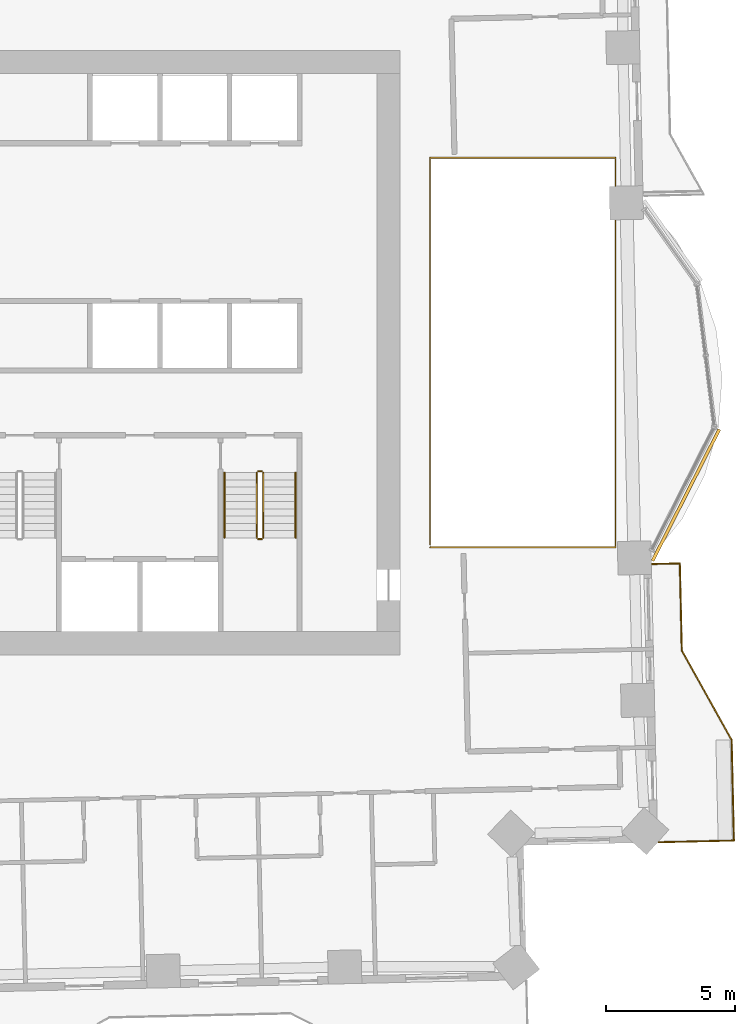
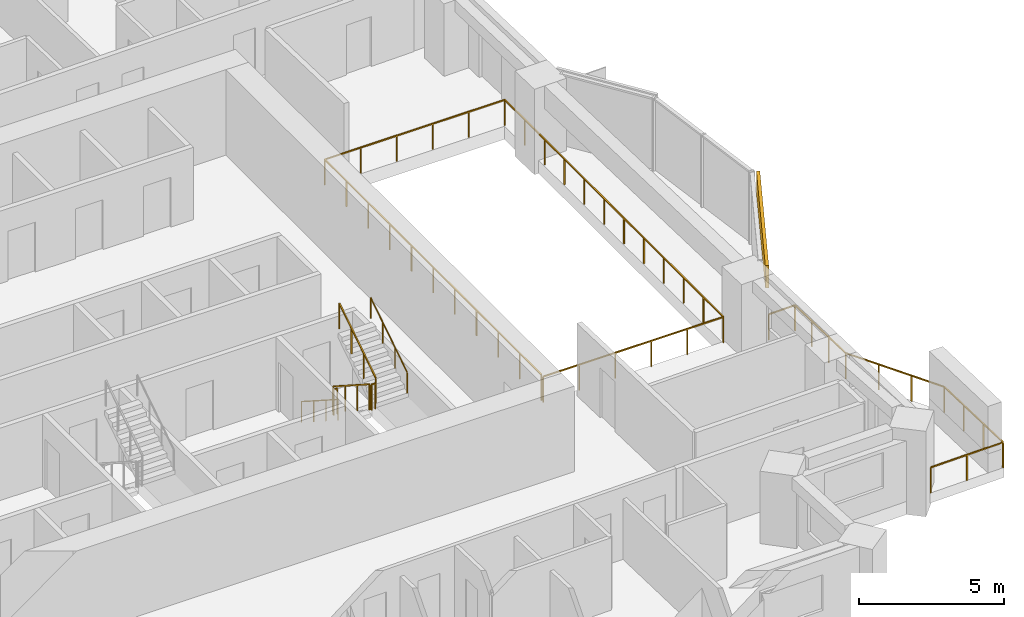
# One storey, part 15 of 16: 8 railings, 1 covering.
"""IFC4 building model written with IfcOpenShell, lengths in metres."""

import ifcopenshell
import ifcopenshell.guid

model = None  # the IFC model being written
_history = None  # IfcOwnerHistory: only IFC2X3 demands one
_inside = {}  # id of a spatial element -> (the spatial element, [elements in it])
_under = {}  # id of a project, library or spatial element -> (it, [spatial elements below it])
_declared = {}  # id of a project -> (the project, [libraries it declares])
_typed = {}  # id of a type object -> (the type object, [elements of that type])
_made_of = {}  # id of a material, layer set ... -> (it, [elements and type objects made of it])


def new_model(schema):
    """Start an empty IFC model of exactly this schema.

    Asked for "IFC4X3", IfcOpenShell would pick the latest addendum, in which some entities
    have other attributes; the version numbers below select the first issue.
    IFC2X3 requires an IfcOwnerHistory on every rooted entity: one is made here for all.
    """
    global model, _history
    if schema == "IFC4X3":
        model = ifcopenshell.file(schema_version=(4, 3, 0, 0))
    else:
        model = ifcopenshell.file(schema=schema)
    _inside.clear()
    _under.clear()
    _declared.clear()
    _typed.clear()
    _made_of.clear()
    _history = None
    if model.schema == "IFC2X3":
        org = make("IfcOrganization", Name="unknown")
        user = make(
            "IfcPersonAndOrganization",
            ThePerson=make("IfcPerson", FamilyName="unknown"),
            TheOrganization=org,
        )
        app = make(
            "IfcApplication",
            ApplicationDeveloper=org,
            Version="unknown",
            ApplicationFullName="unknown",
            ApplicationIdentifier="unknown",
        )
        _history = make(
            "IfcOwnerHistory",
            OwningUser=user,
            OwningApplication=app,
            ChangeAction="ADDED",
            CreationDate=0,
        )
    return model


def make(cls, **values):
    """One entity of the class cls with the attributes given. An attribute that is None is left unset."""
    return model.create_entity(
        cls, **{name: value for name, value in values.items() if value is not None}
    )


def rooted(cls, **values):
    """An entity with a GlobalId (a new one), such as an element, a storey or a relation."""
    return make(cls, GlobalId=ifcopenshell.guid.new(), OwnerHistory=_history, **values)


def si_unit(unit_type, name, prefix=None):
    """IfcSIUnit, for example si_unit("LENGTHUNIT", "METRE", prefix="MILLI")."""
    return make("IfcSIUnit", UnitType=unit_type, Prefix=prefix, Name=name)


def assignment(units):
    """IfcUnitAssignment: the units of a project."""
    return None if units is None else make("IfcUnitAssignment", Units=units)


def point(xyz):
    """IfcCartesianPoint."""
    return None if xyz is None else make("IfcCartesianPoint", Coordinates=xyz)


def direction(xyz):
    """IfcDirection."""
    return None if xyz is None else make("IfcDirection", DirectionRatios=xyz)


def frame(location, z_axis=None, x_axis=None):
    """IfcAxis2Placement3D, a coordinate frame: its origin and axes. An axis left out is left unset."""
    return make(
        "IfcAxis2Placement3D",
        Location=point(location),
        Axis=direction(z_axis),
        RefDirection=direction(x_axis),
    )


def frame_2d(location, x_axis=None):
    """IfcAxis2Placement2D, a coordinate frame in the plane: its origin and x axis."""
    return make(
        "IfcAxis2Placement2D", Location=point(location), RefDirection=direction(x_axis)
    )


def origin():
    """The frame at (0, 0, 0) with its axes left unset."""
    return frame((0.0, 0.0, 0.0))


def origin_2d():
    """The frame at (0, 0) in the plane with its x axis left unset."""
    return frame_2d((0.0, 0.0))


def place(relative_to, where):
    """IfcLocalPlacement: puts the frame where relative to a parent placement (None: the world)."""
    return make(
        "IfcLocalPlacement", PlacementRelTo=relative_to, RelativePlacement=where
    )


def context(
    kind, dimensions, precision=None, world=None, true_north=None, identifier=None
):
    """IfcGeometricRepresentationContext, for example the 3D "Model" context."""
    return make(
        "IfcGeometricRepresentationContext",
        ContextIdentifier=identifier,
        ContextType=kind,
        CoordinateSpaceDimension=dimensions,
        Precision=precision,
        WorldCoordinateSystem=world,
        TrueNorth=true_north,
    )


def subcontext(parent, identifier, kind, view, scale=None):
    """IfcGeometricRepresentationSubContext, for example "Body" below "Model"."""
    return make(
        "IfcGeometricRepresentationSubContext",
        ContextIdentifier=identifier,
        ContextType=kind,
        ParentContext=parent,
        TargetScale=scale,
        TargetView=view,
    )


def project(units=None, contexts=None):
    """IfcProject with its units and contexts."""
    return rooted(
        "IfcProject",
        Name="project",
        RepresentationContexts=contexts,
        UnitsInContext=assignment(units),
    )


def spatial(cls, under=None, at=None, **own):
    """A site, building, storey or space (cls), placed at a placement, below another one or the project."""
    s = rooted(cls, ObjectPlacement=at, **own)
    if under is not None:
        _under.setdefault(under.id(), (under, []))[1].append(s)
    return s


def profile(cls, at=None, kind="AREA", **sizes):
    """A parametric profile (cls). Its sizes go by their IFC names, for example OverallWidth=200.0."""
    return make(cls, ProfileType=kind, Position=at, **sizes)


def rectangle(**sizes):
    """IfcRectangleProfileDef."""
    return profile("IfcRectangleProfileDef", **sizes)


def circle(**sizes):
    """IfcCircleProfileDef."""
    return profile("IfcCircleProfileDef", **sizes)


def extrude(swept, where, along, depth):
    """IfcExtrudedAreaSolid: the profile swept, set in the frame where, extruded along a direction by depth."""
    return make(
        "IfcExtrudedAreaSolid",
        SweptArea=swept,
        Position=where,
        ExtrudedDirection=direction(along),
        Depth=depth,
    )


def shape(context_of_items, identifier, shape_type, items):
    """IfcShapeRepresentation: the items that make up one representation, for example the "Body"."""
    return make(
        "IfcShapeRepresentation",
        ContextOfItems=context_of_items,
        RepresentationIdentifier=identifier,
        RepresentationType=shape_type,
        Items=items,
    )


def material(Name=None, Category=None):
    """IfcMaterial."""
    return make("IfcMaterial", Name=Name, Category=Category)


def layer(
    of_material, thickness, ventilated=None, Name=None, Category=None, Priority=None
):
    """IfcMaterialLayer: one layer of a wall or slab, of a material (None: an air gap)."""
    return make(
        "IfcMaterialLayer",
        Material=of_material,
        LayerThickness=thickness,
        IsVentilated=ventilated,
        Name=Name,
        Category=Category,
        Priority=Priority,
    )


def layer_set(layers, Name=None):
    """IfcMaterialLayerSet."""
    return make("IfcMaterialLayerSet", MaterialLayers=layers, LayerSetName=Name)


def made_of(thing, what):
    """Note that an element or type object is made of a material, layer set ...; save() writes the relation."""
    if what is not None:
        _made_of.setdefault(what.id(), (what, []))[1].append(thing)
    return thing


def type_object(cls, material=None, **own):
    """A type object (cls), such as IfcWallType, which elements share."""
    return made_of(rooted(cls, **own), material)


def element(
    cls,
    number,
    at=None,
    inside=None,
    cuts=None,
    type_object=None,
    material=None,
    context=None,
    identifier="Body",
    shape_type=None,
    held_by="IfcProductDefinitionShape",
    body=None,
    shapes=None,
    **own,
):
    """One element of the class cls, such as IfcWall. Its Tag is "e" and its number.

    at: its placement. inside: the storey or other place that contains it. cuts: it is an
    opening in that element (IfcRelVoidsElement). A single representation is given by context,
    identifier, shape_type and body (its items); several are given by shapes. held_by: the class
    of the entity that holds the representations. save() writes the other relations.
    """
    e = rooted(cls, Tag="e%d" % number, ObjectPlacement=at, **own)
    if body is not None:
        shapes = [shape(context, identifier, shape_type, body)]
    if shapes is not None:
        e.Representation = make(held_by, Representations=shapes)
    if inside is not None:
        _inside.setdefault(inside.id(), (inside, []))[1].append(e)
    if cuts is not None:
        rooted(
            "IfcRelVoidsElement", RelatingBuildingElement=cuts, RelatedOpeningElement=e
        )
    if type_object is not None:
        _typed.setdefault(type_object.id(), (type_object, []))[1].append(e)
    return made_of(e, material)


def aggregate(whole, parts):
    """IfcRelAggregates: a whole, such as a stair, and the parts it consists of."""
    return rooted("IfcRelAggregates", RelatingObject=whole, RelatedObjects=parts)


def save(model, path):
    """Write the relations noted so far, then the file.

    IfcRelAggregates (storeys below a building ...), IfcRelContainedInSpatialStructure (elements
    in a storey), IfcRelDefinesByType, IfcRelAssociatesMaterial and IfcRelDeclares: one each for
    every whole, place, type object, material and project.
    """
    for whole, parts in _under.values():
        aggregate(whole, parts)
    for where, things in _inside.values():
        rooted(
            "IfcRelContainedInSpatialStructure",
            RelatedElements=things,
            RelatingStructure=where,
        )
    for kind, things in _typed.values():
        rooted("IfcRelDefinesByType", RelatedObjects=things, RelatingType=kind)
    for what, things in _made_of.values():
        rooted("IfcRelAssociatesMaterial", RelatedObjects=things, RelatingMaterial=what)
    for by, libraries in _declared.values():
        rooted("IfcRelDeclares", RelatingContext=by, RelatedDefinitions=libraries)
    model.write(path)


model = new_model("IFC4")

# Units and contexts
model_context = context("Model", 3, precision=1e-05, world=origin(), true_north=direction((0.0, 1.0)))
body_context = subcontext(model_context, "Body", "Model", "MODEL_VIEW")
ifc_project = project(units=[si_unit("LENGTHUNIT", "METRE"), si_unit("AREAUNIT", "SQUARE_METRE"), si_unit("VOLUMEUNIT", "CUBIC_METRE"), si_unit("PLANEANGLEUNIT", "RADIAN"), si_unit("MASSUNIT", "GRAM", prefix="KILO")], contexts=[model_context])

# Site, building, storey
site_placement = place(None, origin())
site = spatial("IfcSite", under=ifc_project, at=site_placement, CompositionType="ELEMENT")
building_placement = place(site_placement, origin())
building = spatial("IfcBuilding", under=site, at=building_placement, Name="Mangrove Gate Tower", CompositionType="ELEMENT")
storey_placement = place(building_placement, frame((0.0, 0.0, 140.89990234375)))
storey = spatial("IfcBuildingStorey", under=building, at=storey_placement, Name="L35", CompositionType="ELEMENT", Elevation=140.89990234375)

# Railings
ifc_material_1 = material(Name="Stainless steel grade 316 with laminated glass infill", Category="steel")
railing_type_1 = type_object("IfcRailingType", Name="Balcony guard 1100", PredefinedType="GUARDRAIL", material=ifc_material_1)
railing_1_placement = place(storey_placement, frame((24.7109375, -18.95703125, 0.0)))
element("IfcRailing", 1, at=railing_1_placement, inside=storey, type_object=railing_type_1, Name="GUARD L35 E1", PredefinedType="GUARDRAIL", context=body_context, shape_type="SweptSolid", body=[
    extrude(rectangle(XDim=0.048095703125, YDim=0.048095703125, at=origin_2d()), frame((0.0, 0.0, 1.076171875), z_axis=(0.999751103608, 0.02230988201, 0.0), x_axis=(-0.02230988201, 0.999751103608, 0.0)), (0.0, 0.0, 1.0), 2.910888671875),
    extrude(rectangle(XDim=0.048095703125, YDim=0.048095703125, at=origin_2d()), frame((2.91015625, 0.06494140625, 1.076171875), z_axis=(-0.02284795675, 0.999738951363, 0.0), x_axis=(-0.999738951363, -0.02284795675, 0.0)), (0.0, 0.0, 1.0), 3.900146484375),
    extrude(rectangle(XDim=0.048095703125, YDim=0.048095703125, at=origin_2d()), frame((2.821044921875, 3.964111328125, 1.076171875), z_axis=(-0.487155136876, 0.873315448515, 0.0), x_axis=(-0.873315448515, -0.487155136876, 0.0)), (0.0, 0.0, 1.0), 3.959716796875),
    extrude(rectangle(XDim=0.048095703125, YDim=0.048095703125, at=origin_2d()), frame((0.89208984375, 7.422119140625, 1.076171875), z_axis=(-0.022506060495, 0.999746706542, 0.0), x_axis=(-0.999746706542, -0.022506060495, 0.0)), (0.0, 0.0, 1.0), 3.373779296875),
    extrude(rectangle(XDim=0.048095703125, YDim=0.048095703125, at=origin_2d()), frame((0.816162109375, 10.794921875, 1.076171875), z_axis=(-0.999745389313, -0.022564497502, 0.0), x_axis=(0.022564497502, -0.999745389313, 0.0)), (0.0, 0.0, 1.0), 1.060302734375),
    extrude(rectangle(XDim=0.0419921875, YDim=0.0419921875, at=origin_2d()), origin(), (0.0, 0.0, 1.0), 1.052001953125),
    extrude(rectangle(XDim=0.0419921875, YDim=0.0419921875, at=origin_2d()), frame((1.455078125, 0.032470703125, 0.0)), (0.0, 0.0, 1.0), 1.052001953125),
    extrude(rectangle(XDim=0.0419921875, YDim=0.0419921875, at=origin_2d()), frame((2.91015625, 0.06494140625, 0.0)), (0.0, 0.0, 1.0), 1.052001953125),
    extrude(rectangle(XDim=0.0419921875, YDim=0.0419921875, at=origin_2d()), frame((2.88037109375, 1.36474609375, 0.0)), (0.0, 0.0, 1.0), 1.052001953125),
    extrude(rectangle(XDim=0.0419921875, YDim=0.0419921875, at=origin_2d()), frame((2.850830078125, 2.664306640625, 0.0)), (0.0, 0.0, 1.0), 1.052001953125),
    extrude(rectangle(XDim=0.0419921875, YDim=0.0419921875, at=origin_2d()), frame((2.821044921875, 3.964111328125, 0.0)), (0.0, 0.0, 1.0), 1.052001953125),
    extrude(rectangle(XDim=0.0419921875, YDim=0.0419921875, at=origin_2d()), frame((2.177978515625, 5.11669921875, 0.0)), (0.0, 0.0, 1.0), 1.052001953125),
    extrude(rectangle(XDim=0.0419921875, YDim=0.0419921875, at=origin_2d()), frame((1.53515625, 6.26953125, 0.0)), (0.0, 0.0, 1.0), 1.052001953125),
    extrude(rectangle(XDim=0.0419921875, YDim=0.0419921875, at=origin_2d()), frame((0.89208984375, 7.422119140625, 0.0)), (0.0, 0.0, 1.0), 1.052001953125),
    extrude(rectangle(XDim=0.0419921875, YDim=0.0419921875, at=origin_2d()), frame((0.86669921875, 8.54638671875, 0.0)), (0.0, 0.0, 1.0), 1.052001953125),
    extrude(rectangle(XDim=0.0419921875, YDim=0.0419921875, at=origin_2d()), frame((0.841552734375, 9.670654296875, 0.0)), (0.0, 0.0, 1.0), 1.052001953125),
    extrude(rectangle(XDim=0.0419921875, YDim=0.0419921875, at=origin_2d()), frame((0.816162109375, 10.794921875, 0.0)), (0.0, 0.0, 1.0), 1.052001953125),
    extrude(rectangle(XDim=0.0419921875, YDim=0.0419921875, at=origin_2d()), frame((-0.243896484375, 10.77099609375, 0.0)), (0.0, 0.0, 1.0), 1.052001953125),
])
railing_2_placement = place(storey_placement, frame((15.860107421875, -7.5400390625, 0.0)))
element("IfcRailing", 2, at=railing_2_placement, inside=storey, type_object=railing_type_1, Name="GUARD L35 atrium", PredefinedType="GUARDRAIL", context=body_context, shape_type="SweptSolid", body=[
    extrude(rectangle(XDim=0.048095703125, YDim=0.048095703125, at=origin_2d()), frame((0.0, 0.0, 1.076171875), z_axis=(1.0, 0.0, 0.0), x_axis=(0.0, 1.0, 0.0)), (0.0, 0.0, 1.0), 7.1748046875),
    extrude(rectangle(XDim=0.048095703125, YDim=0.048095703125, at=origin_2d()), frame((7.1748046875, 0.0, 1.076171875), z_axis=(0.0, 1.0, 0.0), x_axis=(-1.0, 0.0, 0.0)), (0.0, 0.0, 1.0), 15.080078125),
    extrude(rectangle(XDim=0.048095703125, YDim=0.048095703125, at=origin_2d()), frame((7.1748046875, 15.080078125, 1.076171875), z_axis=(-1.0, 0.0, 0.0), x_axis=(0.0, -1.0, 0.0)), (0.0, 0.0, 1.0), 7.1748046875),
    extrude(rectangle(XDim=0.048095703125, YDim=0.048095703125, at=origin_2d()), frame((0.0, 15.080078125, 1.076171875), z_axis=(0.0, -1.0, 0.0), x_axis=(1.0, 0.0, 0.0)), (0.0, 0.0, 1.0), 14.9599609375),
    extrude(rectangle(XDim=0.0419921875, YDim=0.0419921875, at=origin_2d()), origin(), (0.0, 0.0, 1.0), 1.052001953125),
    extrude(rectangle(XDim=0.0419921875, YDim=0.0419921875, at=origin_2d()), frame((1.43505859375, 0.0, 0.0)), (0.0, 0.0, 1.0), 1.052001953125),
    extrude(rectangle(XDim=0.0419921875, YDim=0.0419921875, at=origin_2d()), frame((2.869873046875, 0.0, 0.0)), (0.0, 0.0, 1.0), 1.052001953125),
    extrude(rectangle(XDim=0.0419921875, YDim=0.0419921875, at=origin_2d()), frame((4.304931640625, 0.0, 0.0)), (0.0, 0.0, 1.0), 1.052001953125),
    extrude(rectangle(XDim=0.0419921875, YDim=0.0419921875, at=origin_2d()), frame((5.73974609375, 0.0, 0.0)), (0.0, 0.0, 1.0), 1.052001953125),
    extrude(rectangle(XDim=0.0419921875, YDim=0.0419921875, at=origin_2d()), frame((7.1748046875, 0.0, 0.0)), (0.0, 0.0, 1.0), 1.052001953125),
    extrude(rectangle(XDim=0.0419921875, YDim=0.0419921875, at=origin_2d()), frame((7.1748046875, 1.370849609375, 0.0)), (0.0, 0.0, 1.0), 1.052001953125),
    extrude(rectangle(XDim=0.0419921875, YDim=0.0419921875, at=origin_2d()), frame((7.1748046875, 2.741943359375, 0.0)), (0.0, 0.0, 1.0), 1.052001953125),
    extrude(rectangle(XDim=0.0419921875, YDim=0.0419921875, at=origin_2d()), frame((7.1748046875, 4.11279296875, 0.0)), (0.0, 0.0, 1.0), 1.052001953125),
    extrude(rectangle(XDim=0.0419921875, YDim=0.0419921875, at=origin_2d()), frame((7.1748046875, 5.483642578125, 0.0)), (0.0, 0.0, 1.0), 1.052001953125),
    extrude(rectangle(XDim=0.0419921875, YDim=0.0419921875, at=origin_2d()), frame((7.1748046875, 6.8544921875, 0.0)), (0.0, 0.0, 1.0), 1.052001953125),
    extrude(rectangle(XDim=0.0419921875, YDim=0.0419921875, at=origin_2d()), frame((7.1748046875, 8.2255859375, 0.0)), (0.0, 0.0, 1.0), 1.052001953125),
    extrude(rectangle(XDim=0.0419921875, YDim=0.0419921875, at=origin_2d()), frame((7.1748046875, 9.596435546875, 0.0)), (0.0, 0.0, 1.0), 1.052001953125),
    extrude(rectangle(XDim=0.0419921875, YDim=0.0419921875, at=origin_2d()), frame((7.1748046875, 10.96728515625, 0.0)), (0.0, 0.0, 1.0), 1.052001953125),
    extrude(rectangle(XDim=0.0419921875, YDim=0.0419921875, at=origin_2d()), frame((7.1748046875, 12.338134765625, 0.0)), (0.0, 0.0, 1.0), 1.052001953125),
    extrude(rectangle(XDim=0.0419921875, YDim=0.0419921875, at=origin_2d()), frame((7.1748046875, 13.709228515625, 0.0)), (0.0, 0.0, 1.0), 1.052001953125),
    extrude(rectangle(XDim=0.0419921875, YDim=0.0419921875, at=origin_2d()), frame((7.1748046875, 15.080078125, 0.0)), (0.0, 0.0, 1.0), 1.052001953125),
    extrude(rectangle(XDim=0.0419921875, YDim=0.0419921875, at=origin_2d()), frame((5.73974609375, 15.080078125, 0.0)), (0.0, 0.0, 1.0), 1.052001953125),
    extrude(rectangle(XDim=0.0419921875, YDim=0.0419921875, at=origin_2d()), frame((4.304931640625, 15.080078125, 0.0)), (0.0, 0.0, 1.0), 1.052001953125),
    extrude(rectangle(XDim=0.0419921875, YDim=0.0419921875, at=origin_2d()), frame((2.869873046875, 15.080078125, 0.0)), (0.0, 0.0, 1.0), 1.052001953125),
    extrude(rectangle(XDim=0.0419921875, YDim=0.0419921875, at=origin_2d()), frame((1.43505859375, 15.080078125, 0.0)), (0.0, 0.0, 1.0), 1.052001953125),
    extrude(rectangle(XDim=0.0419921875, YDim=0.0419921875, at=origin_2d()), frame((0.0, 15.080078125, 0.0)), (0.0, 0.0, 1.0), 1.052001953125),
    extrude(rectangle(XDim=0.0419921875, YDim=0.0419921875, at=origin_2d()), frame((0.0, 13.583984375, 0.0)), (0.0, 0.0, 1.0), 1.052001953125),
    extrude(rectangle(XDim=0.0419921875, YDim=0.0419921875, at=origin_2d()), frame((0.0, 12.088134765625, 0.0)), (0.0, 0.0, 1.0), 1.052001953125),
    extrude(rectangle(XDim=0.0419921875, YDim=0.0419921875, at=origin_2d()), frame((0.0, 10.592041015625, 0.0)), (0.0, 0.0, 1.0), 1.052001953125),
    extrude(rectangle(XDim=0.0419921875, YDim=0.0419921875, at=origin_2d()), frame((0.0, 9.09619140625, 0.0)), (0.0, 0.0, 1.0), 1.052001953125),
    extrude(rectangle(XDim=0.0419921875, YDim=0.0419921875, at=origin_2d()), frame((0.0, 7.60009765625, 0.0)), (0.0, 0.0, 1.0), 1.052001953125),
    extrude(rectangle(XDim=0.0419921875, YDim=0.0419921875, at=origin_2d()), frame((0.0, 6.10400390625, 0.0)), (0.0, 0.0, 1.0), 1.052001953125),
    extrude(rectangle(XDim=0.0419921875, YDim=0.0419921875, at=origin_2d()), frame((0.0, 4.608154296875, 0.0)), (0.0, 0.0, 1.0), 1.052001953125),
    extrude(rectangle(XDim=0.0419921875, YDim=0.0419921875, at=origin_2d()), frame((0.0, 3.112060546875, 0.0)), (0.0, 0.0, 1.0), 1.052001953125),
    extrude(rectangle(XDim=0.0419921875, YDim=0.0419921875, at=origin_2d()), frame((0.0, 1.6162109375, 0.0)), (0.0, 0.0, 1.0), 1.052001953125),
    extrude(rectangle(XDim=0.0419921875, YDim=0.0419921875, at=origin_2d()), frame((0.0, 0.1201171875, 0.0)), (0.0, 0.0, 1.0), 1.052001953125),
])
ifc_material_2 = material(Name="Stainless steel 316", Category="steel")
railing_type_2 = type_object("IfcRailingType", Name="Core stair guard 1100", PredefinedType="GUARDRAIL", material=ifc_material_2)
railing_3_placement = place(storey_placement, frame((9.14990234375, -4.64990234375, 0.18017578125)))
element("IfcRailing", 3, at=railing_3_placement, inside=storey, type_object=railing_type_2, Name="L35 ST3 stair guard 1", PredefinedType="GUARDRAIL", context=body_context, shape_type="SweptSolid", body=[
    extrude(rectangle(XDim=0.048095703125, YDim=0.048095703125, at=origin_2d()), frame((0.0, 0.0, 1.076171875), z_axis=(0.0, -0.841199657755, 0.540724639528), x_axis=(1.0, 0.0, 0.0)), (0.0, 0.0, 1.0), 2.995849609375),
    extrude(rectangle(XDim=0.0419921875, YDim=0.0419921875, at=origin_2d()), origin(), (0.0, 0.0, 1.0), 1.052001953125),
    extrude(rectangle(XDim=0.0419921875, YDim=0.0419921875, at=origin_2d()), frame((0.0, -0.840087890625, 0.5400390625)), (0.0, 0.0, 1.0), 1.052001953125),
    extrude(rectangle(XDim=0.0419921875, YDim=0.0419921875, at=origin_2d()), frame((0.0, -1.679931640625, 1.079833984375)), (0.0, 0.0, 1.0), 1.052001953125),
    extrude(rectangle(XDim=0.0419921875, YDim=0.0419921875, at=origin_2d()), frame((0.0, -2.52001953125, 1.619873046875)), (0.0, 0.0, 1.0), 1.052001953125),
])
railing_4_placement = place(storey_placement, frame((9.199951171875, -7.219970703125, 1.800048828125)))
element("IfcRailing", 4, at=railing_4_placement, inside=storey, type_object=railing_type_2, Name="L35 ST3 stair guard 2", PredefinedType="GUARDRAIL", context=body_context, shape_type="SweptSolid", body=[
    extrude(rectangle(XDim=0.048095703125, YDim=0.048095703125, at=origin_2d()), frame((0.0, 0.0, 1.076171875), z_axis=(1.0, 0.0, 0.0), x_axis=(0.0, 1.0, 0.0)), (0.0, 0.0, 1.0), 0.150146484375),
    extrude(rectangle(XDim=0.0419921875, YDim=0.0419921875, at=origin_2d()), origin(), (0.0, 0.0, 1.0), 1.052001953125),
    extrude(rectangle(XDim=0.0419921875, YDim=0.0419921875, at=origin_2d()), frame((0.150146484375, 0.0, 0.0)), (0.0, 0.0, 1.0), 1.052001953125),
])
railing_5_placement = place(storey_placement, frame((9.39990234375, -7.169921875, 1.97998046875)))
element("IfcRailing", 5, at=railing_5_placement, inside=storey, type_object=railing_type_2, Name="L35 ST3 stair guard 3", PredefinedType="GUARDRAIL", context=body_context, shape_type="SweptSolid", body=[
    extrude(rectangle(XDim=0.048095703125, YDim=0.048095703125, at=origin_2d()), frame((0.0, 0.0, 1.076171875), z_axis=(0.0, 0.841162588446, 0.540782303519), x_axis=(-1.0, 0.0, 0.0)), (0.0, 0.0, 1.0), 2.995849609375),
    extrude(rectangle(XDim=0.0419921875, YDim=0.0419921875, at=origin_2d()), origin(), (0.0, 0.0, 1.0), 1.052001953125),
    extrude(rectangle(XDim=0.0419921875, YDim=0.0419921875, at=origin_2d()), frame((0.0, 0.840087890625, 0.5400390625)), (0.0, 0.0, 1.0), 1.052001953125),
    extrude(rectangle(XDim=0.0419921875, YDim=0.0419921875, at=origin_2d()), frame((0.0, 1.679931640625, 1.080078125)), (0.0, 0.0, 1.0), 1.052001953125),
    extrude(rectangle(XDim=0.0419921875, YDim=0.0419921875, at=origin_2d()), frame((0.0, 2.52001953125, 1.6201171875)), (0.0, 0.0, 1.0), 1.052001953125),
])
railing_6_placement = place(storey_placement, frame((9.199951171875, -4.60009765625, 0.0)))
element("IfcRailing", 6, at=railing_6_placement, inside=storey, type_object=railing_type_2, Name="L35 ST3 stair guard 4", PredefinedType="GUARDRAIL", context=body_context, shape_type="SweptSolid", body=[
    extrude(rectangle(XDim=0.048095703125, YDim=0.048095703125, at=origin_2d()), frame((0.0, 0.0, 1.076171875), z_axis=(1.0, 0.0, 0.0), x_axis=(0.0, 1.0, 0.0)), (0.0, 0.0, 1.0), 0.150146484375),
    extrude(rectangle(XDim=0.0419921875, YDim=0.0419921875, at=origin_2d()), origin(), (0.0, 0.0, 1.0), 1.052001953125),
    extrude(rectangle(XDim=0.0419921875, YDim=0.0419921875, at=origin_2d()), frame((0.150146484375, 0.0, 0.0)), (0.0, 0.0, 1.0), 1.052001953125),
])
ifc_material_3 = material(Name="Stainless steel 316", Category="steel")
railing_type_3 = type_object("IfcRailingType", Name="Core stair handrail 900", PredefinedType="HANDRAIL", material=ifc_material_3)
railing_7_placement = place(storey_placement, frame((7.89990234375, -4.64990234375, 0.18017578125)))
element("IfcRailing", 7, at=railing_7_placement, inside=storey, type_object=railing_type_3, Name="L35 ST3 stair handrail 1", PredefinedType="HANDRAIL", context=body_context, shape_type="SweptSolid", body=[
    extrude(circle(Radius=0.02392578125, at=origin_2d()), frame((0.0, 0.0, 0.8759765625), z_axis=(0.0, -0.841199657755, 0.540724639528), x_axis=(1.0, 0.0, 0.0)), (0.0, 0.0, 1.0), 2.995849609375),
    extrude(circle(Radius=0.02099609375, at=origin_2d()), origin(), (0.0, 0.0, 1.0), 0.851806640625),
    extrude(circle(Radius=0.02099609375, at=origin_2d()), frame((0.0, -0.840087890625, 0.5400390625)), (0.0, 0.0, 1.0), 0.851806640625),
    extrude(circle(Radius=0.02099609375, at=origin_2d()), frame((0.0, -1.679931640625, 1.079833984375)), (0.0, 0.0, 1.0), 0.851806640625),
    extrude(circle(Radius=0.02099609375, at=origin_2d()), frame((0.0, -2.52001953125, 1.619873046875)), (0.0, 0.0, 1.0), 0.851806640625),
])
railing_8_placement = place(storey_placement, frame((10.64990234375, -7.169921875, 1.97998046875)))
element("IfcRailing", 8, at=railing_8_placement, inside=storey, type_object=railing_type_3, Name="L35 ST3 stair handrail 2", PredefinedType="HANDRAIL", context=body_context, shape_type="SweptSolid", body=[
    extrude(circle(Radius=0.02392578125, at=origin_2d()), frame((0.0, 0.0, 0.8759765625), z_axis=(0.0, 0.841162588446, 0.540782303519), x_axis=(-1.0, 0.0, 0.0)), (0.0, 0.0, 1.0), 2.995849609375),
    extrude(circle(Radius=0.02099609375, at=origin_2d()), origin(), (0.0, 0.0, 1.0), 0.851806640625),
    extrude(circle(Radius=0.02099609375, at=origin_2d()), frame((0.0, 0.840087890625, 0.5400390625)), (0.0, 0.0, 1.0), 0.851806640625),
    extrude(circle(Radius=0.02099609375, at=origin_2d()), frame((0.0, 1.679931640625, 1.080078125)), (0.0, 0.0, 1.0), 0.851806640625),
    extrude(circle(Radius=0.02099609375, at=origin_2d()), frame((0.0, 2.52001953125, 1.6201171875)), (0.0, 0.0, 1.0), 0.851806640625),
])

# Covering
ifc_material_4 = material(Name="Limestone", Category="masonry")
ifc_layer_1 = layer(ifc_material_4, 0.0400390625, Name="Limestone cladding")
ifc_material_5 = material(Name="Stainless steel anchors and cavity", Category="steel")
ifc_layer_2 = layer(ifc_material_5, 0.080078125, Name="Fixing cavity")
ifc_layer_set = layer_set([ifc_layer_1, ifc_layer_2], Name="Joint fascia cladding 120")
covering_type = type_object("IfcCoveringType", Name="Joint fascia cladding 120", PredefinedType="CLADDING", material=ifc_layer_set)
covering_placement = place(storey_placement, frame((24.47412109375, -8.059326171875, 2.10009765625), z_axis=(0.0, 0.0, 1.0), x_axis=(0.452615399326, 0.89170583731, 0.0)))
element("IfcCovering", 9, at=covering_placement, inside=storey, type_object=covering_type, Name="STONE FASCIA L35 E1.L1", PredefinedType="CLADDING", context=body_context, shape_type="SweptSolid", body=[
    extrude(rectangle(XDim=5.7041015625, YDim=0.1201171875, at=frame_2d((2.85205078125, 0.0))), origin(), (0.0, 0.0, 1.0), 0.949951171875),
])

save(model, "model.ifc")
